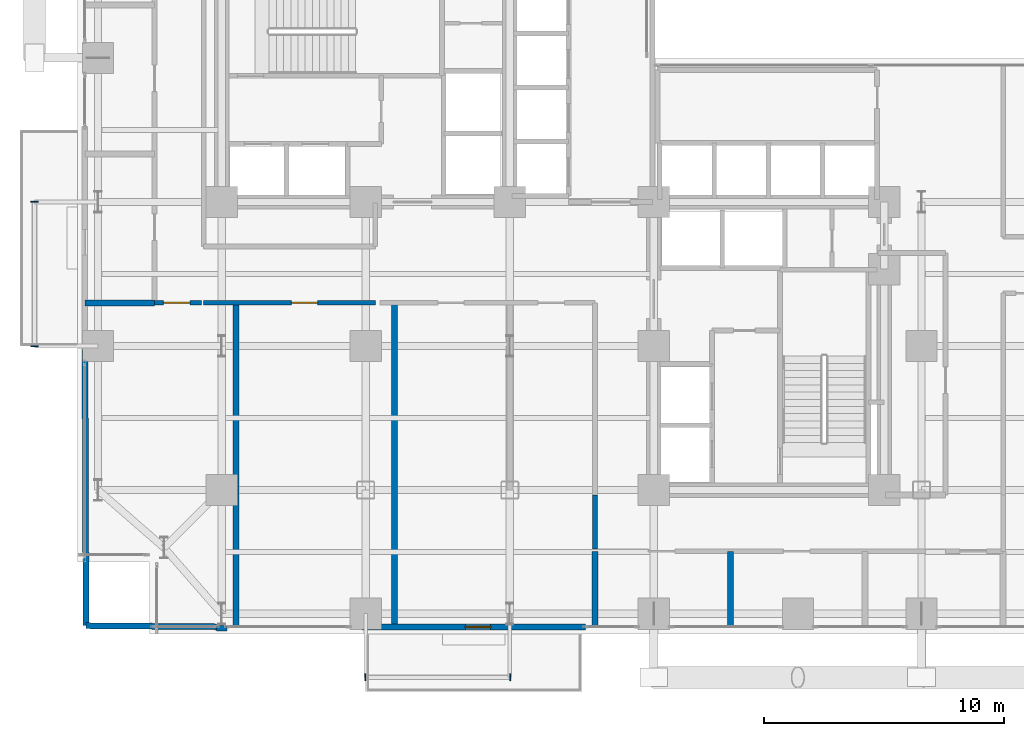
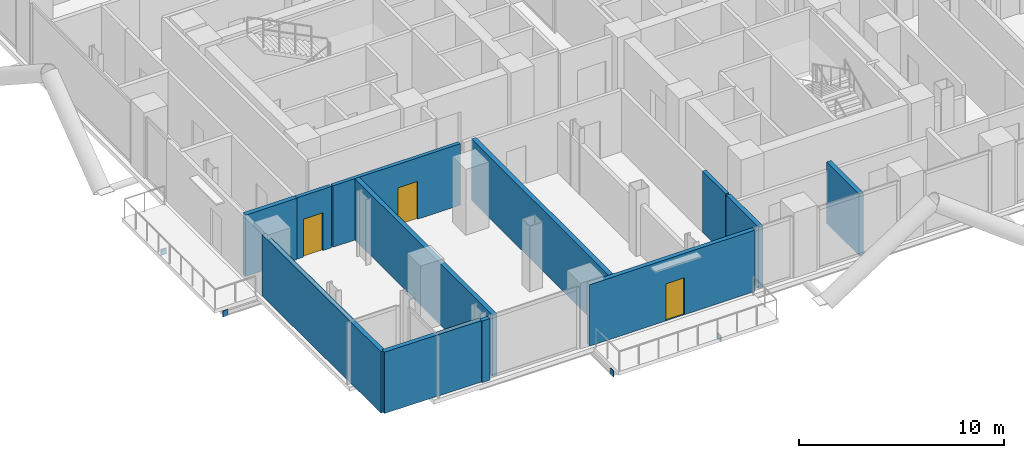
# One storey, part 19 of 25: 12 walls, 4 plates, 3 doors, 3 openings.
"""IFC4 building model written with IfcOpenShell, lengths in metres."""

from ifc_helpers import new_model, si_unit, direction, frame, frame_2d, origin, origin_2d, place, context, subcontext, project, spatial, rectangle, extrude, material, layer, layer_set, type_object, element, fill, save


model = new_model("IFC4")

# Units and contexts
model_context = context("Model", 3, precision=1e-05, world=origin(), true_north=direction((0.0, 1.0)))
body_context = subcontext(model_context, "Body", "Model", "MODEL_VIEW")
ifc_project = project(units=[si_unit("LENGTHUNIT", "METRE"), si_unit("AREAUNIT", "SQUARE_METRE"), si_unit("VOLUMEUNIT", "CUBIC_METRE"), si_unit("PLANEANGLEUNIT", "RADIAN"), si_unit("MASSUNIT", "GRAM", prefix="KILO"), si_unit("THERMODYNAMICTEMPERATUREUNIT", "KELVIN"), si_unit("POWERUNIT", "WATT")], contexts=[model_context])

# Site, building, storey
site_placement = place(None, origin())
site = spatial("IfcSite", under=ifc_project, at=site_placement, CompositionType="ELEMENT")
building_placement = place(site_placement, origin())
building = spatial("IfcBuilding", under=site, at=building_placement, Name="Svarakhadi Broadcast Tower", CompositionType="ELEMENT")
storey_placement = place(building_placement, frame((0.0, 0.0, 83.10009765625)))
storey = spatial("IfcBuildingStorey", under=building, at=storey_placement, Name="L19", CompositionType="ELEMENT", Elevation=83.10009765625)

# Plates
ifc_material_1 = material(Name="Steel S460ML (IS 2062 E450BR)", Category="steel")
ifc_layer_1 = layer(ifc_material_1, 0.028076171875)
ifc_layer_set_1 = layer_set([ifc_layer_1], Name="Steel S460ML (IS 2062 E450BR)")
plate_type = type_object("IfcPlateType", Name="Cap_Plate_CP02", PredefinedType="USERDEFINED", material=ifc_layer_set_1)
for number, where, z_axis, x_axis, name in (
    (1, (11.985107421875, -1.800048828125, -0.580078125), (0.0, 0.0, 1.0), (1.0, 0.0, 0.0), "L19 Balcony Spandrel End Cap Plate 1F-A"),
    (2, (18.014892578125, -1.800048828125, -0.580078125), (0.0, 0.0, 1.0), (1.0, 0.0, 0.0), "L19 Balcony Spandrel End Cap Plate 1F-B"),
):
    element("IfcPlate", number, at=place(storey_placement, frame(where, z_axis=z_axis, x_axis=x_axis)), inside=storey, type_object=plate_type, Name=name, ObjectType="FLANGE_PLATE", PredefinedType="USERDEFINED", context=body_context, shape_type="SweptSolid", body=[
        extrude(rectangle(XDim=0.0400390625, YDim=0.300048828125, at=origin_2d()), origin(), (0.0, 0.0, 1.0), 0.360107421875),
    ])
for number, where, z_axis, x_axis, name in (
    (3, (-1.800048828125, 11.985107421875, -0.580078125), (0.0, 0.0, 1.0), (1.0, 0.0, 0.0), "L19 Balcony Spandrel End Cap Plate 2F-A"),
    (4, (-1.800048828125, 18.014892578125, -0.580078125), (0.0, 0.0, 1.0), (1.0, 0.0, 0.0), "L19 Balcony Spandrel End Cap Plate 2F-B"),
):
    element("IfcPlate", number, at=place(storey_placement, frame(where, z_axis=z_axis, x_axis=x_axis)), inside=storey, type_object=plate_type, Name=name, ObjectType="FLANGE_PLATE", PredefinedType="USERDEFINED", context=body_context, shape_type="SweptSolid", body=[
        extrude(rectangle(XDim=0.300048828125, YDim=0.0400390625, at=origin_2d()), origin(), (0.0, 0.0, 1.0), 0.360107421875),
    ])

# Wall
ifc_material_2 = material(Name="Double-Stud Acoustic Studio Partition STC-62", Category="gypsum")
ifc_layer_2 = layer(ifc_material_2, 0.199951171875)
ifc_layer_set_2 = layer_set([ifc_layer_2], Name="Double-Stud Acoustic Studio Partition STC-62")
wall_type_1 = type_object("IfcWallType", Name="Wall_Acoust_200", PredefinedType="PARTITIONING", material=ifc_layer_set_2)
wall_1_placement = place(storey_placement, frame((21.550048828125, 3.550048828125, 0.0), z_axis=(0.0, 0.0, 1.0), x_axis=(0.0, 1.0, 0.0)))
element("IfcWall", 5, at=wall_1_placement, inside=storey, type_object=wall_type_1, Name="L19 Broadcast Corridor Wall", PredefinedType="PARTITIONING", context=body_context, shape_type="SweptSolid", body=[
    extrude(rectangle(XDim=2.25, YDim=0.199951171875, at=frame_2d((1.125, 0.0))), origin(), (0.0, 0.0, 1.0), 3.64990234375),
])

# Wall, opening, door
wall_2_placement = place(storey_placement, frame((12.39990234375, 13.800048828125, 0.0), z_axis=(0.0, 0.0, 1.0), x_axis=(-1.0, 0.0, 0.0)))
wall_2 = element("IfcWall", 6, at=wall_2_placement, inside=storey, type_object=wall_type_1, Name="L19 Broadcast Corridor Wall", PredefinedType="PARTITIONING", context=body_context, shape_type="SweptSolid", body=[
    extrude(rectangle(XDim=7.14990234375, YDim=0.199951171875, at=frame_2d((3.574951171875, 0.0))), origin(), (0.0, 0.0, 1.0), 3.64990234375),
])
opening_1_placement = place(wall_2_placement, frame((2.39990234375, 0.0, 0.0)))
opening_1 = element("IfcOpeningElement", 7, at=opening_1_placement, cuts=wall_2, Name="Opening D-10", PredefinedType="OPENING", context=body_context, shape_type="SweptSolid", body=[
    extrude(rectangle(XDim=1.10009765625, YDim=2.25, at=frame_2d((0.550048828125, 1.125))), frame((0.0, 0.10986328125, 0.0), z_axis=(0.0, -1.0, 0.0), x_axis=(1.0, 0.0, 0.0)), (0.0, 0.0, 1.0), 0.219970703125),
])
ifc_material_3 = material(Name="Solid-Core Teak Veneer Acoustic Timber Leaf", Category="wood")
door_type_1 = type_object("IfcDoorType", Name="Door_Acoust_D10", OperationType="SINGLE_SWING_LEFT", PredefinedType="DOOR", material=ifc_material_3)
door_1_placement = place(opening_1_placement, origin())
door_1 = element("IfcDoor", 8, at=door_1_placement, inside=storey, type_object=door_type_1, Name="L19 Social Media Command Room Door", OperationType="SINGLE_SWING_LEFT", OverallHeight=2.25, OverallWidth=1.10009765625, PredefinedType="DOOR", context=body_context, shape_type="SweptSolid", body=[
    extrude(rectangle(XDim=1.10009765625, YDim=2.25, at=frame_2d((0.550048828125, 1.125))), frame((0.0, 0.02490234375, 0.0), z_axis=(0.0, -1.0, 0.0), x_axis=(1.0, 0.0, 0.0)), (0.0, 0.0, 1.0), 0.050048828125),
])
fill(opening_1, door_1)

wall_3_placement = place(storey_placement, frame((5.14990234375, 13.800048828125, 0.0), z_axis=(0.0, 0.0, 1.0), x_axis=(-1.0, 0.0, 0.0)))
wall_3 = element("IfcWall", 9, at=wall_3_placement, inside=storey, type_object=wall_type_1, Name="L19 Broadcast Corridor Wall", PredefinedType="PARTITIONING", context=body_context, shape_type="SweptSolid", body=[
    extrude(rectangle(XDim=1.949951171875, YDim=0.199951171875, at=frame_2d((0.97509765625, 0.0))), origin(), (0.0, 0.0, 1.0), 3.64990234375),
])
opening_2_placement = place(wall_3_placement, frame((0.47509765625, 0.0, 0.0)))
opening_2 = element("IfcOpeningElement", 10, at=opening_2_placement, cuts=wall_3, Name="Opening D-11", PredefinedType="OPENING", context=body_context, shape_type="SweptSolid", body=[
    extrude(rectangle(XDim=1.10009765625, YDim=2.25, at=frame_2d((0.550048828125, 1.125))), frame((0.0, 0.10986328125, 0.0), z_axis=(0.0, -1.0, 0.0), x_axis=(1.0, 0.0, 0.0)), (0.0, 0.0, 1.0), 0.219970703125),
])
door_type_2 = type_object("IfcDoorType", Name="Door_Acoust_D11", OperationType="SINGLE_SWING_RIGHT", PredefinedType="DOOR", material=ifc_material_3)
door_2_placement = place(opening_2_placement, origin())
door_2 = element("IfcDoor", 11, at=door_2_placement, inside=storey, type_object=door_type_2, Name="L19 Digital Streaming Studio Door", OperationType="SINGLE_SWING_RIGHT", OverallHeight=2.25, OverallWidth=1.10009765625, PredefinedType="DOOR", context=body_context, shape_type="SweptSolid", body=[
    extrude(rectangle(XDim=1.10009765625, YDim=2.25, at=frame_2d((0.550048828125, 1.125))), frame((0.0, 0.02490234375, 0.0), z_axis=(0.0, -1.0, 0.0), x_axis=(1.0, 0.0, 0.0)), (0.0, 0.0, 1.0), 0.050048828125),
])
fill(opening_2, door_2)

# Walls
ifc_layer_3 = layer(ifc_material_2, 0.25)
ifc_layer_set_3 = layer_set([ifc_layer_3], Name="Double-Stud Acoustic Studio Partition STC-62")
wall_type_2 = type_object("IfcWallType", Name="Wall_Acoust_250", PredefinedType="PARTITIONING", material=ifc_layer_set_3)
wall_4_placement = place(storey_placement, frame((0.35009765625, 0.35009765625, 0.0), z_axis=(0.0, 0.0, 1.0), x_axis=(0.99996767298, -0.008040708569, 0.0)))
element("IfcWall", 12, at=wall_4_placement, inside=storey, type_object=wall_type_2, Name="L19 Digital Streaming Studio Wall", PredefinedType="PARTITIONING", context=body_context, shape_type="SweptSolid", body=[
    extrude(rectangle(XDim=5.43505859375, YDim=0.25, at=frame_2d((2.717529296875, 0.0))), origin(), (0.0, 0.0, 1.0), 3.64990234375),
])
wall_5_placement = place(storey_placement, frame((0.35009765625, 0.35009765625, 0.0), z_axis=(0.0, 0.0, 1.0), x_axis=(-0.003734801216, 0.999993025606, 0.0)))
element("IfcWall", 13, at=wall_5_placement, inside=storey, type_object=wall_type_2, Name="L19 Digital Streaming Studio Wall", PredefinedType="PARTITIONING", context=body_context, shape_type="SweptSolid", body=[
    extrude(rectangle(XDim=11.5048828125, YDim=0.25, at=frame_2d((5.75244140625, 0.0))), origin(), (0.0, 0.0, 1.0), 3.64990234375),
])
for number, where, z_axis, x_axis, name in (
    (14, (6.60009765625, 0.300048828125, 0.0), (0.0, 0.0, 1.0), (0.0, 1.0, 0.0), "L19 Digital Streaming Studio Wall"),
    (15, (13.199951171875, 0.300048828125, 0.0), (0.0, 0.0, 1.0), (0.0, 1.0, 0.0), "L19 Social Media Command Room Wall"),
):
    element("IfcWall", number, at=place(storey_placement, frame(where, z_axis=z_axis, x_axis=x_axis)), inside=storey, type_object=wall_type_2, Name=name, PredefinedType="PARTITIONING", context=body_context, shape_type="SweptSolid", body=[
        extrude(rectangle(XDim=13.5, YDim=0.25, at=frame_2d((6.75, 0.0))), origin(), (0.0, 0.0, 1.0), 3.64990234375),
    ])
wall_6_placement = place(storey_placement, frame((0.300048828125, 13.800048828125, 0.0), z_axis=(0.0, 0.0, 1.0), x_axis=(1.0, 0.0, 0.0)))
element("IfcWall", 16, at=wall_6_placement, inside=storey, type_object=wall_type_2, Name="L19 Arabian Sea Commentary Booth Wall", PredefinedType="PARTITIONING", context=body_context, shape_type="SweptSolid", body=[
    extrude(rectangle(XDim=2.89990234375, YDim=0.25, at=frame_2d((1.449951171875, 0.0))), origin(), (0.0, 0.0, 1.0), 3.64990234375),
])
for number, where, z_axis, x_axis, name in (
    (17, (21.550048828125, 0.300048828125, 0.0), (0.0, 0.0, 1.0), (0.0, 1.0, 0.0), "L19 South Harbour Editorial Desk Wall"),
    (18, (27.199951171875, 0.300048828125, 0.0), (0.0, 0.0, 1.0), (0.0, 1.0, 0.0), "L19 South Harbour Editorial Desk Wall"),
):
    element("IfcWall", number, at=place(storey_placement, frame(where, z_axis=z_axis, x_axis=x_axis)), inside=storey, type_object=wall_type_2, Name=name, PredefinedType="PARTITIONING", context=body_context, shape_type="SweptSolid", body=[
        extrude(rectangle(XDim=3.14990234375, YDim=0.25, at=frame_2d((1.574951171875, 0.0))), origin(), (0.0, 0.0, 1.0), 3.64990234375),
    ])

# Wall, opening, door
ifc_material_4 = material(Name="Concrete C40/50 (IS 456 M50)", Category="concrete")
ifc_layer_4 = layer(ifc_material_4, 0.239990234375)
ifc_layer_set_4 = layer_set([ifc_layer_4], Name="Concrete C40/50 (IS 456 M50)")
wall_type_3 = type_object("IfcWallType", Name="Wall_Ext_240", PredefinedType="SOLIDWALL", material=ifc_layer_set_4)
wall_7_placement = place(storey_placement, frame((21.14501953125, 0.300048828125, 0.0), z_axis=(0.0, 0.0, 1.0), x_axis=(-1.0, 0.0, 0.0)))
wall_7 = element("IfcWall", 19, at=wall_7_placement, inside=storey, type_object=wall_type_3, Name="L19 South Tree Balcony Spandrel Wall", PredefinedType="SOLIDWALL", context=body_context, shape_type="SweptSolid", body=[
    extrude(rectangle(XDim=9.2900390625, YDim=0.239990234375, at=frame_2d((4.64501953125, 0.0))), origin(), (0.0, 0.0, 1.0), 3.64990234375),
])
opening_3_placement = place(wall_7_placement, frame((3.945068359375, 0.0, 0.0)))
opening_3 = element("IfcOpeningElement", 20, at=opening_3_placement, cuts=wall_7, Name="Opening ED-05", PredefinedType="OPENING", context=body_context, shape_type="SweptSolid", body=[
    extrude(rectangle(XDim=1.050048828125, YDim=2.199951171875, at=frame_2d((0.52490234375, 1.10009765625))), frame((0.0, 0.1298828125, 0.0), z_axis=(0.0, -1.0, 0.0), x_axis=(1.0, 0.0, 0.0)), (0.0, 0.0, 1.0), 0.260009765625),
])
ifc_material_5 = material(Name="Anodised Bronze Aluminium AA 6063-T6", Category="aluminium")
door_type_3 = type_object("IfcDoorType", Name="Door_Ext_ED05", OperationType="SINGLE_SWING_LEFT", PredefinedType="DOOR", material=ifc_material_5)
door_3_placement = place(opening_3_placement, origin())
door_3 = element("IfcDoor", 21, at=door_3_placement, inside=storey, type_object=door_type_3, Name="L19 South Tree Balcony Door", OperationType="SINGLE_SWING_LEFT", OverallHeight=2.199951171875, OverallWidth=1.050048828125, PredefinedType="DOOR", context=body_context, shape_type="SweptSolid", body=[
    extrude(rectangle(XDim=1.050048828125, YDim=2.199951171875, at=frame_2d((0.52490234375, 1.10009765625))), frame((0.0, 0.02490234375, 0.0), z_axis=(0.0, -1.0, 0.0), x_axis=(1.0, 0.0, 0.0)), (0.0, 0.0, 1.0), 0.050048828125),
])
fill(opening_3, door_3)

# Wall
wall_8_placement = place(storey_placement, frame((6.215087890625, 0.239990234375, 0.0), z_axis=(0.0, 0.0, 1.0), x_axis=(-1.0, 0.0, 0.0)))
element("IfcWall", 22, at=wall_8_placement, inside=storey, type_object=wall_type_3, Name="L19 Perimeter Bronze Spandrel Closure Wall 06", PredefinedType="SOLIDWALL", context=body_context, shape_type="SweptSolid", body=[
    extrude(rectangle(XDim=0.43017578125, YDim=0.239990234375, at=frame_2d((0.215087890625, 0.0))), origin(), (0.0, 0.0, 1.0), 3.64990234375),
])

save(model, "model.ifc")
